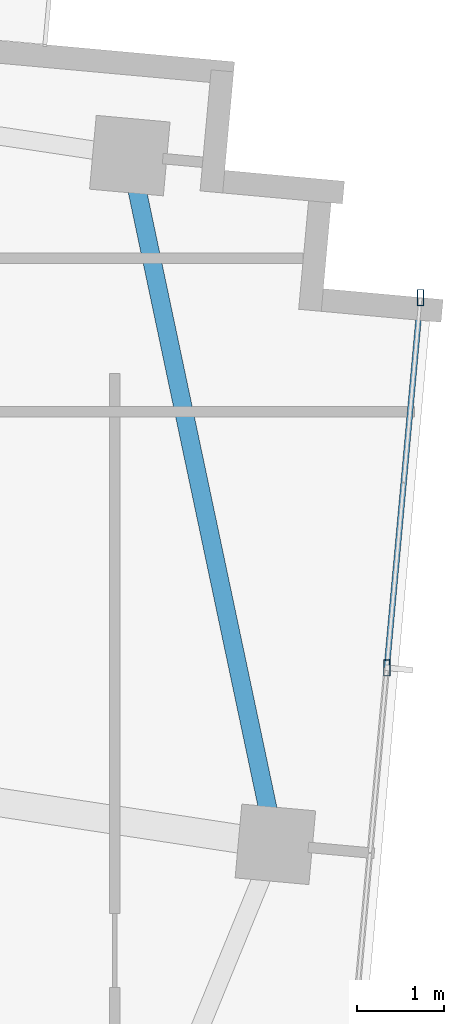
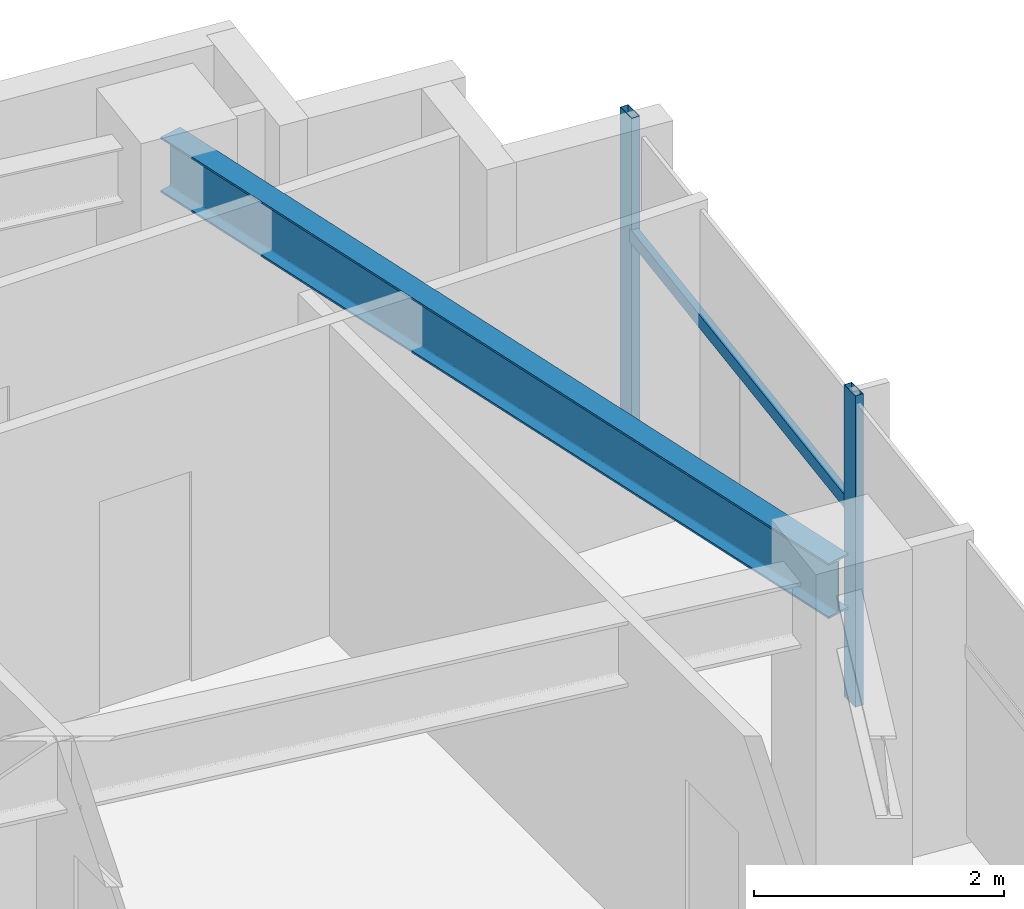
# One storey, part 14 of 22: 3 members, 1 beam, 1 element without a shape of its own.
"""IFC4 building model written with IfcOpenShell, lengths in metres."""

from ifc_helpers import new_model, si_unit, direction, frame, origin, origin_2d, place, context, subcontext, project, spatial, hollow_rectangle, i_section, extrude, source, transform, mapped, material, material_profile, profile_set, type_object, type_shapes, element, aggregate, save


model = new_model("IFC4")

# Units and contexts
model_context = context("Model", 3, precision=1e-05, world=origin(), true_north=direction((0.0, 1.0)))
body_context = subcontext(model_context, "Body", "Model", "MODEL_VIEW")
ifc_project = project(units=[si_unit("LENGTHUNIT", "METRE"), si_unit("AREAUNIT", "SQUARE_METRE"), si_unit("VOLUMEUNIT", "CUBIC_METRE"), si_unit("PLANEANGLEUNIT", "RADIAN"), si_unit("MASSUNIT", "GRAM", prefix="KILO")], contexts=[model_context])

# Site, building, storey
site_placement = place(None, origin())
site = spatial("IfcSite", under=ifc_project, at=site_placement, CompositionType="ELEMENT")
building_placement = place(site_placement, origin())
building = spatial("IfcBuilding", under=site, at=building_placement, Name="Astriad Promenade Condominiums", CompositionType="ELEMENT")
storey_placement = place(building_placement, frame((0.0, 0.0, 223.199951171875)))
storey = spatial("IfcBuildingStorey", under=building, at=storey_placement, Name="L64", CompositionType="ELEMENT", Elevation=223.199951171875)

# Beam
ifc_material_1 = material(Name="Steel ASTM A992 Grade 50", Category="steel")
ifc_material_profile_1 = material_profile(ifc_material_1, i_section(OverallWidth=0.210693359375, OverallDepth=0.53955078125, WebThickness=0.01171875, FlangeThickness=0.018798828125, FilletRadius=0.0166015625, at=origin_2d()), Name="W21X73")
ifc_profile_set_1 = profile_set([ifc_material_profile_1], Name="Steel ASTM A992 Grade 50")
beam_type = type_object("IfcBeamType", Name="STEEL SPANDREL BEAM W21X73", PredefinedType="SPANDREL", material=ifc_profile_set_1)
shared_shape_1 = source(origin(), body_context, "Body", "SweptSolid", [
    extrude(i_section(OverallWidth=0.210693359375, OverallDepth=0.53955078125, WebThickness=0.01171875, FlangeThickness=0.018798828125, FilletRadius=0.0166015625, at=origin_2d()), origin(), (0.0, 0.0, 1.0), 7.99853515625),
])
type_shapes(beam_type, [shared_shape_1])
beam_placement = place(storey_placement, frame((54.88037109375, 16.02880859375, 2.770263671875), z_axis=(-0.20676418926, 0.978390806396, 0.0), x_axis=(-0.978390806396, -0.20676418926, 0.0)))
element("IfcBeam", 1, at=beam_placement, inside=storey, type_object=beam_type, Name="Perimeter Spandrel Beam SP-E2-L64", PredefinedType="SPANDREL", context=body_context, shape_type="MappedRepresentation", body=[
    mapped(shared_shape_1, transform((0.0, 0.0, 0.0), scale=1.0)),
])

# Curtain wall, members
ifc_material_2 = material(Name="Anodised aluminium Black Dark Glass Unitised", Category="aluminium")
curtain_wall_type = type_object("IfcCurtainWallType", Name="CW-B5-DARK", PredefinedType="USERDEFINED", material=ifc_material_2)
curtain_wall_placement = place(storey_placement, origin())
curtain_wall = element("IfcCurtainWall", 2, at=curtain_wall_placement, inside=storey, type_object=curtain_wall_type, Name="CW-L64-E", ObjectType="UNITISED_CURTAIN_WALL", PredefinedType="USERDEFINED")
ifc_material_3 = material(Name="Anodised aluminium 6063-T6 Black", Category="aluminium")
ifc_material_profile_2 = material_profile(ifc_material_3, hollow_rectangle(XDim=0.06494140625, YDim=0.1298828125, WallThickness=0.00390625, at=origin_2d()), Name="ALU-TRN-65X130")
ifc_profile_set_2 = profile_set([ifc_material_profile_2], Name="Anodised aluminium 6063-T6 Black")
member_type_1 = type_object("IfcMemberType", Name="TRN-ALU-TRN-65X130", PredefinedType="USERDEFINED", material=ifc_profile_set_2)
shared_shape_2 = source(origin(), body_context, "Body", "SweptSolid", [
    extrude(hollow_rectangle(XDim=0.06494140625, YDim=0.1298828125, WallThickness=0.00390625, at=origin_2d()), origin(), (0.0, 0.0, 1.0), 4.2666015625),
])
type_shapes(member_type_1, [shared_shape_2])
member_1_placement = place(storey_placement, frame((56.55419921875, 22.2646484375, 1.884765625), z_axis=(-0.090638931954, -0.99588382054, 0.0), x_axis=(0.99588382054, -0.090638931954, 0.0)))
member_1 = element("IfcMember", 3, at=member_1_placement, type_object=member_type_1, Name="CW-L64-E-TRN-00-0", ObjectType="TRANSOM", PredefinedType="USERDEFINED", context=body_context, shape_type="MappedRepresentation", body=[
    mapped(shared_shape_2, transform((0.0, 0.0, 0.0), scale=1.0)),
])
ifc_material_profile_3 = material_profile(ifc_material_3, hollow_rectangle(XDim=0.074951171875, YDim=0.18505859375, WallThickness=0.00439453125, at=origin_2d()), Name="ALU-MUL-75X185")
ifc_profile_set_3 = profile_set([ifc_material_profile_3], Name="Anodised aluminium 6063-T6 Black")
member_type_2 = type_object("IfcMemberType", Name="MUL-ALU-MUL-75X185", PredefinedType="MULLION", material=ifc_profile_set_3)
shared_shape_3 = source(origin(), body_context, "Body", "SweptSolid", [
    extrude(hollow_rectangle(XDim=0.074951171875, YDim=0.18505859375, WallThickness=0.00439453125, at=origin_2d()), origin(), (0.0, 0.0, 1.0), 3.0400390625),
])
type_shapes(member_type_2, [shared_shape_3])
member_2_placement = place(storey_placement, frame((56.55419921875, 22.2646484375, 0.0), z_axis=(0.0, 0.0, 1.0), x_axis=(1.0, 0.0, 0.0)))
member_2 = element("IfcMember", 4, at=member_2_placement, type_object=member_type_2, Name="CW-L64-E-MUL-00", PredefinedType="MULLION", context=body_context, shape_type="MappedRepresentation", body=[
    mapped(shared_shape_3, transform((0.0, 0.0, 0.0), scale=1.0)),
])
member_3_placement = place(storey_placement, frame((56.16748046875, 18.015625, 0.0), z_axis=(0.0, 0.0, 1.0), x_axis=(1.0, 0.0, 0.0)))
member_3 = element("IfcMember", 5, at=member_3_placement, type_object=member_type_2, Name="CW-L64-E-MUL-01", PredefinedType="MULLION", context=body_context, shape_type="MappedRepresentation", body=[
    mapped(shared_shape_3, transform((0.0, 0.0, 0.0), scale=1.0)),
])
aggregate(curtain_wall, [member_2, member_3, member_1])

save(model, "model.ifc")
